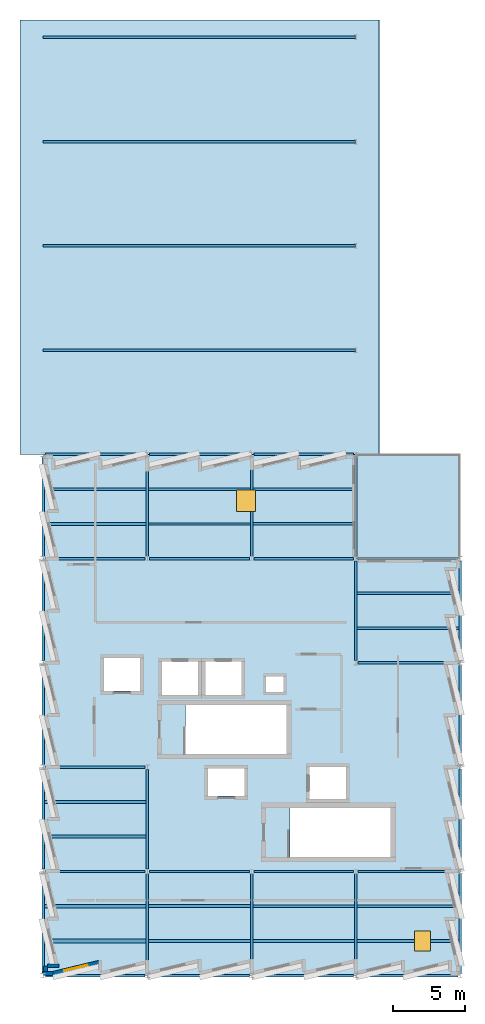
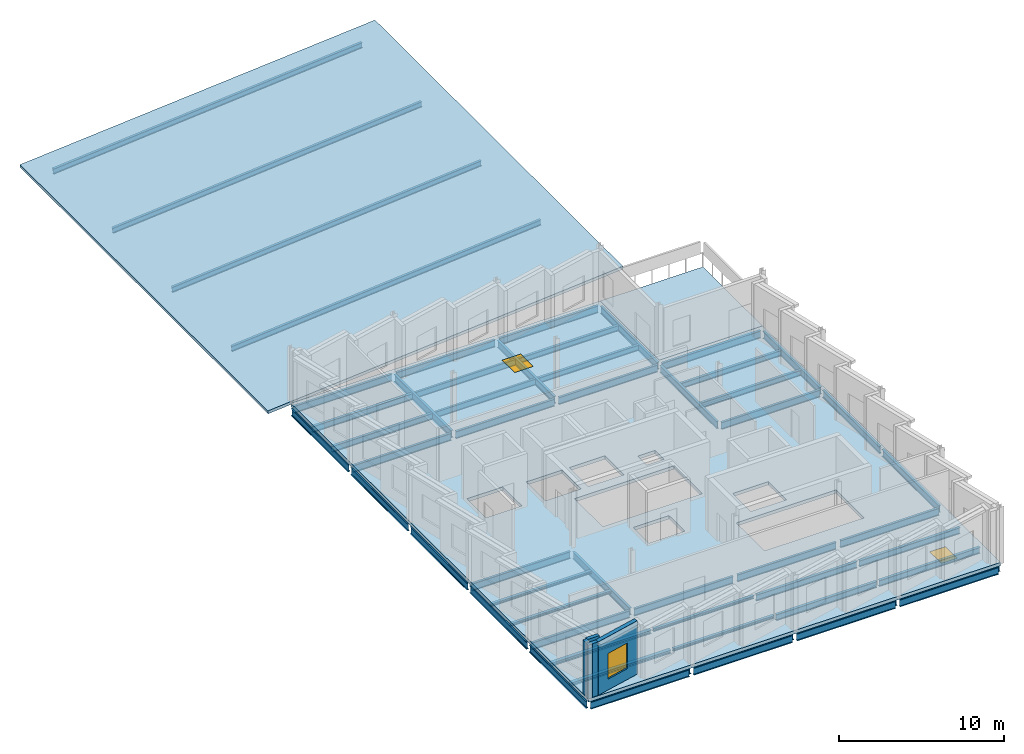
# One storey, part 4 of 9: 52 beams, 4 members, 4 walls, 3 slabs, 2 doors, 1 window, 3 openings.
"""IFC4 building model written with IfcOpenShell, lengths in metres."""

from ifc_helpers import new_model, si_unit, direction, frame, frame_2d, origin, origin_2d, place, context, subcontext, project, spatial, polyline, rectangle, i_section, outline, extrude, material, layer, layer_set, material_profile, profile_set, type_object, element, fill, save


model = new_model("IFC4")

# Units and contexts
model_context = context("Model", 3, precision=1e-05, world=origin(), true_north=direction((0.0, 1.0)))
body_context = subcontext(model_context, "Body", "Model", "MODEL_VIEW")
ifc_project = project(units=[si_unit("LENGTHUNIT", "METRE"), si_unit("AREAUNIT", "SQUARE_METRE"), si_unit("VOLUMEUNIT", "CUBIC_METRE"), si_unit("PLANEANGLEUNIT", "RADIAN"), si_unit("MASSUNIT", "GRAM", prefix="KILO")], contexts=[model_context])

# Site, building, storey
site_placement = place(None, origin())
site = spatial("IfcSite", under=ifc_project, at=site_placement, CompositionType="ELEMENT")
building_placement = place(site_placement, origin())
building = spatial("IfcBuilding", under=site, at=building_placement, Name="Kalmorath City Hall", CompositionType="ELEMENT")
storey_placement = place(building_placement, frame((0.0, 0.0, 31.050048828125)))
storey = spatial("IfcBuildingStorey", under=building, at=storey_placement, Name="L07", CompositionType="ELEMENT", Elevation=31.050048828125)

# Beams
ifc_material_1 = material(Name="Steel ASTM A992 Grade 50", Category="steel")
ifc_material_profile_1 = material_profile(ifc_material_1, i_section(OverallWidth=0.180908203125, OverallDepth=0.4169921875, WebThickness=0.010986328125, FlangeThickness=0.018310546875, FilletRadius=0.012939453125, at=origin_2d()), Name="W16X57")
ifc_profile_set_1 = profile_set([ifc_material_profile_1], Name="Steel ASTM A992 Grade 50")
beam_type_1 = type_object("IfcBeamType", Name="Steel composite joist W16X57", PredefinedType="JOIST", material=ifc_profile_set_1)
for number, where, z_axis, x_axis, name in (
    (1, (14.4833984375, 31.199951171875, -0.462646484375), (1.0, 0.0, 0.0), (0.0, 1.0, 0.0), "L07 joist SJ5 3.5.1"),
    (2, (14.4833984375, 33.60009765625, -0.462646484375), (1.0, 0.0, 0.0), (0.0, 1.0, 0.0), "L07 joist SJ5 3.5.2"),
):
    element("IfcBeam", number, at=place(storey_placement, frame(where, z_axis=z_axis, x_axis=x_axis)), inside=storey, type_object=beam_type_1, Name=name, PredefinedType="JOIST", context=body_context, shape_type="SweptSolid", body=[
        extrude(i_section(OverallWidth=0.180908203125, OverallDepth=0.4169921875, WebThickness=0.010986328125, FlangeThickness=0.018310546875, FilletRadius=0.012939453125, at=origin_2d()), origin(), (0.0, 0.0, 1.0), 7.033203125),
    ])
for number, where, z_axis, x_axis, name in (
    (3, (21.68359375, 24.0, -0.462646484375), (1.0, 0.0, 0.0), (0.0, 1.0, 0.0), "L07 joist SJ5 4.4.1"),
    (4, (21.68359375, 26.39990234375, -0.462646484375), (1.0, 0.0, 0.0), (0.0, 1.0, 0.0), "L07 joist SJ5 4.4.2"),
):
    element("IfcBeam", number, at=place(storey_placement, frame(where, z_axis=z_axis, x_axis=x_axis)), inside=storey, type_object=beam_type_1, Name=name, PredefinedType="JOIST", context=body_context, shape_type="SweptSolid", body=[
        extrude(i_section(OverallWidth=0.180908203125, OverallDepth=0.4169921875, WebThickness=0.010986328125, FlangeThickness=0.018310546875, FilletRadius=0.012939453125, at=origin_2d()), origin(), (0.0, 0.0, 1.0), 7.033935546875),
    ])
ifc_material_2 = material(Name="Steel ASTM A992 Grade 50", Category="steel")
ifc_material_profile_2 = material_profile(ifc_material_2, i_section(OverallWidth=0.153076171875, OverallDepth=0.455078125, WebThickness=0.008056640625, FlangeThickness=0.01318359375, FilletRadius=0.013916015625, at=origin_2d()), Name="W18X40")
ifc_profile_set_2 = profile_set([ifc_material_profile_2], Name="Steel ASTM A992 Grade 50")
beam_type_2 = type_object("IfcBeamType", Name="Steel composite joist W18X40", PredefinedType="JOIST", material=ifc_profile_set_2)
for number, where, z_axis, x_axis, name in (
    (5, (7.283447265625, 31.199951171875, -0.4814453125), (1.0, 0.0, 0.0), (0.0, 1.0, 0.0), "L07 joist SJ4 2.5.1"),
    (6, (7.283447265625, 33.60009765625, -0.4814453125), (1.0, 0.0, 0.0), (0.0, 1.0, 0.0), "L07 joist SJ4 2.5.2"),
):
    element("IfcBeam", number, at=place(storey_placement, frame(where, z_axis=z_axis, x_axis=x_axis)), inside=storey, type_object=beam_type_2, Name=name, PredefinedType="JOIST", context=body_context, shape_type="SweptSolid", body=[
        extrude(i_section(OverallWidth=0.153076171875, OverallDepth=0.455078125, WebThickness=0.008056640625, FlangeThickness=0.01318359375, FilletRadius=0.013916015625, at=origin_2d()), origin(), (0.0, 0.0, 1.0), 7.032958984375),
    ])
ifc_material_3 = material(Name="Steel ASTM A992 Grade 50", Category="steel")
ifc_material_profile_3 = material_profile(ifc_material_3, i_section(OverallWidth=0.19091796875, OverallDepth=0.45703125, WebThickness=0.009033203125, FlangeThickness=0.014404296875, FilletRadius=0.013916015625, at=origin_2d()), Name="W18X50")
ifc_profile_set_3 = profile_set([ifc_material_profile_3], Name="Steel ASTM A992 Grade 50")
beam_type_3 = type_object("IfcBeamType", Name="Steel composite joist W18X50", PredefinedType="JOIST", material=ifc_profile_set_3)
for number, where, z_axis, x_axis, name in (
    (7, (0.08251953125, 31.199951171875, -0.482666015625), (1.0, 0.0, 0.0), (0.0, 1.0, 0.0), "L07 joist SJ3 1.5.1"),
    (8, (0.08251953125, 33.60009765625, -0.482666015625), (1.0, 0.0, 0.0), (0.0, 1.0, 0.0), "L07 joist SJ3 1.5.2"),
):
    element("IfcBeam", number, at=place(storey_placement, frame(where, z_axis=z_axis, x_axis=x_axis)), inside=storey, type_object=beam_type_3, Name=name, PredefinedType="JOIST", context=body_context, shape_type="SweptSolid", body=[
        extrude(i_section(OverallWidth=0.19091796875, OverallDepth=0.45703125, WebThickness=0.009033203125, FlangeThickness=0.014404296875, FilletRadius=0.013916015625, at=origin_2d()), origin(), (0.0, 0.0, 1.0), 7.033935546875),
    ])
ifc_material_4 = material(Name="Steel ASTM A992 Grade 50", Category="steel")
ifc_material_profile_4 = material_profile(ifc_material_4, i_section(OverallWidth=0.19091796875, OverallDepth=0.4599609375, WebThickness=0.010009765625, FlangeThickness=0.01611328125, FilletRadius=0.013916015625, at=origin_2d()), Name="W18X55")
ifc_profile_set_4 = profile_set([ifc_material_profile_4], Name="Steel ASTM A992 Grade 50")
beam_type_4 = type_object("IfcBeamType", Name="Steel composite joist W18X55", PredefinedType="JOIST", material=ifc_profile_set_4)
for number, where, z_axis, x_axis, name in (
    (9, (21.68359375, 2.39990234375, -0.484130859375), (1.0, 0.0, 0.0), (0.0, 1.0, 0.0), "L07 joist SJ2 4.1.1"),
    (10, (21.68359375, 4.800048828125, -0.484130859375), (1.0, 0.0, 0.0), (0.0, 1.0, 0.0), "L07 joist SJ2 4.1.2"),
):
    element("IfcBeam", number, at=place(storey_placement, frame(where, z_axis=z_axis, x_axis=x_axis)), inside=storey, type_object=beam_type_4, Name=name, PredefinedType="JOIST", context=body_context, shape_type="SweptSolid", body=[
        extrude(i_section(OverallWidth=0.19091796875, OverallDepth=0.4599609375, WebThickness=0.010009765625, FlangeThickness=0.01611328125, FilletRadius=0.013916015625, at=origin_2d()), origin(), (0.0, 0.0, 1.0), 7.033935546875),
    ])
ifc_material_5 = material(Name="Steel ASTM A992 Grade 50", Category="steel")
ifc_material_profile_5 = material_profile(ifc_material_5, i_section(OverallWidth=0.193115234375, OverallDepth=0.466064453125, WebThickness=0.011474609375, FlangeThickness=0.01904296875, FilletRadius=0.013916015625, at=origin_2d()), Name="W18X65")
ifc_profile_set_5 = profile_set([ifc_material_profile_5], Name="Steel ASTM A992 Grade 50")
beam_type_5 = type_object("IfcBeamType", Name="Steel composite joist W18X65", PredefinedType="JOIST", material=ifc_profile_set_5)
for number, where, z_axis, x_axis, name in (
    (11, (14.4833984375, 2.39990234375, -0.487060546875), (1.0, 0.0, 0.0), (0.0, 1.0, 0.0), "L07 joist SJ1 3.1.1"),
    (12, (14.4833984375, 4.800048828125, -0.487060546875), (1.0, 0.0, 0.0), (0.0, 1.0, 0.0), "L07 joist SJ1 3.1.2"),
):
    element("IfcBeam", number, at=place(storey_placement, frame(where, z_axis=z_axis, x_axis=x_axis)), inside=storey, type_object=beam_type_5, Name=name, PredefinedType="JOIST", context=body_context, shape_type="SweptSolid", body=[
        extrude(i_section(OverallWidth=0.193115234375, OverallDepth=0.466064453125, WebThickness=0.011474609375, FlangeThickness=0.01904296875, FilletRadius=0.013916015625, at=origin_2d()), origin(), (0.0, 0.0, 1.0), 7.033203125),
    ])
ifc_material_6 = material(Name="Steel ASTM A992 Grade 50", Category="steel")
ifc_material_profile_6 = material_profile(ifc_material_6, i_section(OverallWidth=0.202880859375, OverallDepth=0.202880859375, WebThickness=0.007080078125, FlangeThickness=0.010986328125, FilletRadius=0.010986328125, at=origin_2d()), Name="W8X31")
ifc_profile_set_6 = profile_set([ifc_material_profile_6], Name="Steel ASTM A992 Grade 50")
beam_type_6 = type_object("IfcBeamType", Name="Steel edge trimmer W8X31", PredefinedType="LINTEL", material=ifc_profile_set_6)
for number, where, z_axis, x_axis, name in (
    (13, (0.08251953125, 9.60009765625, -0.35546875), (1.0, 0.0, 0.0), (0.0, 1.0, 0.0), "L07 joist SJ16 1.2.1"),
    (14, (0.08251953125, 12.0, -0.35546875), (1.0, 0.0, 0.0), (0.0, 1.0, 0.0), "L07 joist SJ16 1.2.2"),
):
    element("IfcBeam", number, at=place(storey_placement, frame(where, z_axis=z_axis, x_axis=x_axis)), inside=storey, type_object=beam_type_6, Name=name, PredefinedType="LINTEL", context=body_context, shape_type="SweptSolid", body=[
        extrude(i_section(OverallWidth=0.202880859375, OverallDepth=0.202880859375, WebThickness=0.007080078125, FlangeThickness=0.010986328125, FilletRadius=0.010986328125, at=origin_2d()), origin(), (0.0, 0.0, 1.0), 7.033935546875),
    ])
for number, where, z_axis, x_axis, name in (
    (15, (7.283447265625, 2.39990234375, -0.35546875), (1.0, 0.0, 0.0), (0.0, 1.0, 0.0), "L07 joist SJ16 2.1.1"),
    (16, (7.283447265625, 4.800048828125, -0.35546875), (1.0, 0.0, 0.0), (0.0, 1.0, 0.0), "L07 joist SJ16 2.1.2"),
):
    element("IfcBeam", number, at=place(storey_placement, frame(where, z_axis=z_axis, x_axis=x_axis)), inside=storey, type_object=beam_type_6, Name=name, PredefinedType="LINTEL", context=body_context, shape_type="SweptSolid", body=[
        extrude(i_section(OverallWidth=0.202880859375, OverallDepth=0.202880859375, WebThickness=0.007080078125, FlangeThickness=0.010986328125, FilletRadius=0.010986328125, at=origin_2d()), origin(), (0.0, 0.0, 1.0), 7.032958984375),
    ])
ifc_material_7 = material(Name="Steel ASTM A992 Grade 50", Category="steel")
ifc_material_profile_7 = material_profile(ifc_material_7, i_section(OverallWidth=0.1669921875, OverallDepth=0.534912109375, WebThickness=0.01025390625, FlangeThickness=0.0166015625, FilletRadius=0.014892578125, at=origin_2d()), Name="W21X57")
ifc_profile_set_7 = profile_set([ifc_material_profile_7], Name="Steel ASTM A992 Grade 50")
beam_type_7 = type_object("IfcBeamType", Name="Steel floor beam W21X57", PredefinedType="BEAM", material=ifc_profile_set_7)
for number, where, z_axis, x_axis, name in (
    (17, (0.152587890625, 7.199951171875, -0.521484375), (1.0, 0.0, 0.0), (0.0, 1.0, 0.0), "L07 girder SB3 X1-2/2"),
    (18, (7.3525390625, 7.199951171875, -0.521484375), (1.0, 0.0, 0.0), (0.0, 1.0, 0.0), "L07 girder SB3 X2-3/2"),
    (19, (14.552490234375, 7.199951171875, -0.521484375), (1.0, 0.0, 0.0), (0.0, 1.0, 0.0), "L07 girder SB3 X3-4/2"),
    (20, (21.75244140625, 7.199951171875, -0.521484375), (1.0, 0.0, 0.0), (0.0, 1.0, 0.0), "L07 girder SB3 X4-5/2"),
    (21, (0.152587890625, 14.39990234375, -0.521484375), (1.0, 0.0, 0.0), (0.0, 1.0, 0.0), "L07 girder SB3 X1-2/3"),
    (22, (21.75244140625, 21.60009765625, -0.521484375), (1.0, 0.0, 0.0), (0.0, 1.0, 0.0), "L07 girder SB3 X4-5/4"),
    (23, (0.152587890625, 28.800048828125, -0.521484375), (1.0, 0.0, 0.0), (0.0, 1.0, 0.0), "L07 girder SB3 X1-2/5"),
    (24, (7.3525390625, 28.800048828125, -0.521484375), (1.0, 0.0, 0.0), (0.0, 1.0, 0.0), "L07 girder SB3 X2-3/5"),
    (25, (14.552490234375, 28.800048828125, -0.521484375), (1.0, 0.0, 0.0), (0.0, 1.0, 0.0), "L07 girder SB3 X3-4/5"),
    (26, (21.75244140625, 28.800048828125, -0.521484375), (1.0, 0.0, 0.0), (0.0, 1.0, 0.0), "L07 girder SB3 X4-5/5"),
):
    element("IfcBeam", number, at=place(storey_placement, frame(where, z_axis=z_axis, x_axis=x_axis)), inside=storey, type_object=beam_type_7, Name=name, PredefinedType="BEAM", context=body_context, shape_type="SweptSolid", body=[
        extrude(i_section(OverallWidth=0.1669921875, OverallDepth=0.534912109375, WebThickness=0.01025390625, FlangeThickness=0.0166015625, FilletRadius=0.014892578125, at=origin_2d()), origin(), (0.0, 0.0, 1.0), 6.89501953125),
    ])
beam_1_placement = place(storey_placement, frame((7.199951171875, 0.154052734375, -0.521484375), z_axis=(0.0, 1.0, 0.0), x_axis=(-1.0, 0.0, 0.0)))
element("IfcBeam", 27, at=beam_1_placement, inside=storey, type_object=beam_type_7, Name="L07 girder SB3 Y2/1-2", PredefinedType="BEAM", context=body_context, shape_type="SweptSolid", body=[
    extrude(i_section(OverallWidth=0.1669921875, OverallDepth=0.534912109375, WebThickness=0.01025390625, FlangeThickness=0.0166015625, FilletRadius=0.014892578125, at=origin_2d()), origin(), (0.0, 0.0, 1.0), 6.891845703125),
])
beam_2_placement = place(storey_placement, frame((7.199951171875, 7.35400390625, -0.521484375), z_axis=(0.0, 1.0, 0.0), x_axis=(-1.0, 0.0, 0.0)))
element("IfcBeam", 28, at=beam_2_placement, inside=storey, type_object=beam_type_7, Name="L07 girder SB3 Y2/2-3", PredefinedType="BEAM", context=body_context, shape_type="SweptSolid", body=[
    extrude(i_section(OverallWidth=0.1669921875, OverallDepth=0.534912109375, WebThickness=0.01025390625, FlangeThickness=0.0166015625, FilletRadius=0.014892578125, at=origin_2d()), origin(), (0.0, 0.0, 1.0), 6.89208984375),
])
for number, where, z_axis, x_axis, name in (
    (29, (7.199951171875, 28.9541015625, -0.521484375), (0.0, 1.0, 0.0), (-1.0, 0.0, 0.0), "L07 girder SB3 Y2/5-6"),
    (30, (14.39990234375, 0.154052734375, -0.521484375), (0.0, 1.0, 0.0), (-1.0, 0.0, 0.0), "L07 girder SB3 Y3/1-2"),
    (31, (14.39990234375, 28.9541015625, -0.521484375), (0.0, 1.0, 0.0), (-1.0, 0.0, 0.0), "L07 girder SB3 Y3/5-6"),
    (32, (21.60009765625, 0.154052734375, -0.521484375), (0.0, 1.0, 0.0), (-1.0, 0.0, 0.0), "L07 girder SB3 Y4/1-2"),
):
    element("IfcBeam", number, at=place(storey_placement, frame(where, z_axis=z_axis, x_axis=x_axis)), inside=storey, type_object=beam_type_7, Name=name, PredefinedType="BEAM", context=body_context, shape_type="SweptSolid", body=[
        extrude(i_section(OverallWidth=0.1669921875, OverallDepth=0.534912109375, WebThickness=0.01025390625, FlangeThickness=0.0166015625, FilletRadius=0.014892578125, at=origin_2d()), origin(), (0.0, 0.0, 1.0), 6.891845703125),
    ])
beam_3_placement = place(storey_placement, frame((21.60009765625, 21.75390625, -0.521484375), z_axis=(0.0, 1.0, 0.0), x_axis=(-1.0, 0.0, 0.0)))
element("IfcBeam", 33, at=beam_3_placement, inside=storey, type_object=beam_type_7, Name="L07 girder SB3 Y4/4-5", PredefinedType="BEAM", context=body_context, shape_type="SweptSolid", body=[
    extrude(i_section(OverallWidth=0.1669921875, OverallDepth=0.534912109375, WebThickness=0.01025390625, FlangeThickness=0.0166015625, FilletRadius=0.014892578125, at=origin_2d()), origin(), (0.0, 0.0, 1.0), 6.89208984375),
])
beam_4_placement = place(storey_placement, frame((21.60009765625, 28.9541015625, -0.521484375), z_axis=(0.0, 1.0, 0.0), x_axis=(-1.0, 0.0, 0.0)))
element("IfcBeam", 34, at=beam_4_placement, inside=storey, type_object=beam_type_7, Name="L07 girder SB3 Y4/5-6", PredefinedType="BEAM", context=body_context, shape_type="SweptSolid", body=[
    extrude(i_section(OverallWidth=0.1669921875, OverallDepth=0.534912109375, WebThickness=0.01025390625, FlangeThickness=0.0166015625, FilletRadius=0.014892578125, at=origin_2d()), origin(), (0.0, 0.0, 1.0), 6.891845703125),
])

# Members
ifc_material_8 = material(Name="Steel ASTM A992 Grade 50", Category="steel")
ifc_material_profile_8 = material_profile(ifc_material_8, i_section(OverallWidth=0.178955078125, OverallDepth=0.409912109375, WebThickness=0.0087890625, FlangeThickness=0.014404296875, FilletRadius=0.012939453125, at=origin_2d()), Name="W16X45")
ifc_profile_set_8 = profile_set([ifc_material_profile_8], Name="Steel ASTM A992 Grade 50")
member_type = type_object("IfcMemberType", Name="Steel pitched roof rafter W16X45", PredefinedType="RAFTER", material=ifc_profile_set_8)
for number, where, z_axis, x_axis, name in (
    (35, (0.0, 43.199951171875, -0.320068359375), (0.996545602882, 0.0, 0.083047344192), (0.0, 1.0, 0.0), "V6 upper roof rafter RF2-1"),
    (36, (0.0, 50.39990234375, -0.320068359375), (0.996545602882, 0.0, 0.083047344192), (0.0, 1.0, 0.0), "V6 upper roof rafter RF2-2"),
    (37, (0.0, 57.60009765625, -0.320068359375), (0.996545602882, 0.0, 0.083047344192), (0.0, 1.0, 0.0), "V6 upper roof rafter RF2-3"),
    (38, (0.0, 64.800048828125, -0.320068359375), (0.996545602882, 0.0, 0.083047344192), (0.0, 1.0, 0.0), "V6 upper roof rafter RF2-4"),
):
    element("IfcMember", number, at=place(storey_placement, frame(where, z_axis=z_axis, x_axis=x_axis)), inside=storey, type_object=member_type, Name=name, PredefinedType="RAFTER", context=body_context, shape_type="SweptSolid", body=[
        extrude(i_section(OverallWidth=0.178955078125, OverallDepth=0.409912109375, WebThickness=0.0087890625, FlangeThickness=0.014404296875, FilletRadius=0.012939453125, at=origin_2d()), origin(), (0.0, 0.0, 1.0), 21.675048828125),
    ])

# Beams
ifc_material_9 = material(Name="Steel ASTM A992 Grade 50", Category="steel")
ifc_material_profile_9 = material_profile(ifc_material_9, i_section(OverallWidth=0.1650390625, OverallDepth=0.52490234375, WebThickness=0.0087890625, FlangeThickness=0.011474609375, FilletRadius=0.014892578125, at=origin_2d()), Name="W21X44")
ifc_profile_set_9 = profile_set([ifc_material_profile_9], Name="Steel ASTM A992 Grade 50")
beam_type_8 = type_object("IfcBeamType", Name="Steel spandrel beam W21X44", PredefinedType="SPANDREL", material=ifc_profile_set_9)
for number, where, z_axis, x_axis, name in (
    (39, (0.152587890625, 0.0, -0.5166015625), (1.0, 0.0, 0.0), (0.0, 1.0, 0.0), "L07 girder SB4 X1-2/1"),
    (40, (7.3525390625, 0.0, -0.5166015625), (1.0, 0.0, 0.0), (0.0, 1.0, 0.0), "L07 girder SB4 X2-3/1"),
    (41, (14.552490234375, 0.0, -0.5166015625), (1.0, 0.0, 0.0), (0.0, 1.0, 0.0), "L07 girder SB4 X3-4/1"),
    (42, (21.75244140625, 0.0, -0.5166015625), (1.0, 0.0, 0.0), (0.0, 1.0, 0.0), "L07 girder SB4 X4-5/1"),
    (43, (0.152587890625, 36.0, -0.5166015625), (1.0, 0.0, 0.0), (0.0, 1.0, 0.0), "L07 girder SB4 X1-2/6"),
    (44, (7.3525390625, 36.0, -0.5166015625), (1.0, 0.0, 0.0), (0.0, 1.0, 0.0), "L07 girder SB4 X2-3/6"),
    (45, (14.552490234375, 36.0, -0.5166015625), (1.0, 0.0, 0.0), (0.0, 1.0, 0.0), "L07 girder SB4 X3-4/6"),
):
    element("IfcBeam", number, at=place(storey_placement, frame(where, z_axis=z_axis, x_axis=x_axis)), inside=storey, type_object=beam_type_8, Name=name, PredefinedType="SPANDREL", context=body_context, shape_type="SweptSolid", body=[
        extrude(i_section(OverallWidth=0.1650390625, OverallDepth=0.52490234375, WebThickness=0.0087890625, FlangeThickness=0.011474609375, FilletRadius=0.014892578125, at=origin_2d()), origin(), (0.0, 0.0, 1.0), 6.89501953125),
    ])
beam_5_placement = place(storey_placement, frame((0.0, 0.154052734375, -0.5166015625), z_axis=(0.0, 1.0, 0.0), x_axis=(-1.0, 0.0, 0.0)))
element("IfcBeam", 46, at=beam_5_placement, inside=storey, type_object=beam_type_8, Name="L07 girder SB4 Y1/1-2", PredefinedType="SPANDREL", context=body_context, shape_type="SweptSolid", body=[
    extrude(i_section(OverallWidth=0.1650390625, OverallDepth=0.52490234375, WebThickness=0.0087890625, FlangeThickness=0.011474609375, FilletRadius=0.014892578125, at=origin_2d()), origin(), (0.0, 0.0, 1.0), 6.891845703125),
])
for number, where, z_axis, x_axis, name in (
    (47, (0.0, 7.35400390625, -0.5166015625), (0.0, 1.0, 0.0), (-1.0, 0.0, 0.0), "L07 girder SB4 Y1/2-3"),
    (48, (0.0, 14.553955078125, -0.5166015625), (0.0, 1.0, 0.0), (-1.0, 0.0, 0.0), "L07 girder SB4 Y1/3-4"),
    (49, (0.0, 21.75390625, -0.5166015625), (0.0, 1.0, 0.0), (-1.0, 0.0, 0.0), "L07 girder SB4 Y1/4-5"),
):
    element("IfcBeam", number, at=place(storey_placement, frame(where, z_axis=z_axis, x_axis=x_axis)), inside=storey, type_object=beam_type_8, Name=name, PredefinedType="SPANDREL", context=body_context, shape_type="SweptSolid", body=[
        extrude(i_section(OverallWidth=0.1650390625, OverallDepth=0.52490234375, WebThickness=0.0087890625, FlangeThickness=0.011474609375, FilletRadius=0.014892578125, at=origin_2d()), origin(), (0.0, 0.0, 1.0), 6.89208984375),
    ])
for number, where, z_axis, x_axis, name in (
    (50, (0.0, 28.9541015625, -0.5166015625), (0.0, 1.0, 0.0), (-1.0, 0.0, 0.0), "L07 girder SB4 Y1/5-6"),
    (51, (28.800048828125, 0.154052734375, -0.5166015625), (0.0, 1.0, 0.0), (-1.0, 0.0, 0.0), "L07 girder SB4 Y5/1-2"),
):
    element("IfcBeam", number, at=place(storey_placement, frame(where, z_axis=z_axis, x_axis=x_axis)), inside=storey, type_object=beam_type_8, Name=name, PredefinedType="SPANDREL", context=body_context, shape_type="SweptSolid", body=[
        extrude(i_section(OverallWidth=0.1650390625, OverallDepth=0.52490234375, WebThickness=0.0087890625, FlangeThickness=0.011474609375, FilletRadius=0.014892578125, at=origin_2d()), origin(), (0.0, 0.0, 1.0), 6.891845703125),
    ])
for number, where, z_axis, x_axis, name in (
    (52, (28.800048828125, 7.35400390625, -0.5166015625), (0.0, 1.0, 0.0), (-1.0, 0.0, 0.0), "L07 girder SB4 Y5/2-3"),
    (53, (28.800048828125, 14.553955078125, -0.5166015625), (0.0, 1.0, 0.0), (-1.0, 0.0, 0.0), "L07 girder SB4 Y5/3-4"),
    (54, (28.800048828125, 21.75390625, -0.5166015625), (0.0, 1.0, 0.0), (-1.0, 0.0, 0.0), "L07 girder SB4 Y5/4-5"),
):
    element("IfcBeam", number, at=place(storey_placement, frame(where, z_axis=z_axis, x_axis=x_axis)), inside=storey, type_object=beam_type_8, Name=name, PredefinedType="SPANDREL", context=body_context, shape_type="SweptSolid", body=[
        extrude(i_section(OverallWidth=0.1650390625, OverallDepth=0.52490234375, WebThickness=0.0087890625, FlangeThickness=0.011474609375, FilletRadius=0.014892578125, at=origin_2d()), origin(), (0.0, 0.0, 1.0), 6.89208984375),
    ])
ifc_material_10 = material(Name="Steel ASTM A992 Grade 50", Category="steel")
ifc_material_profile_10 = material_profile(ifc_material_10, i_section(OverallWidth=0.25390625, OverallDepth=0.2529296875, WebThickness=0.008544921875, FlangeThickness=0.01416015625, FilletRadius=0.011962890625, at=origin_2d()), Name="W10X49")
ifc_profile_set_10 = profile_set([ifc_material_profile_10], Name="Steel ASTM A992 Grade 50")
beam_type_9 = type_object("IfcBeamType", Name="Steel trimmer beam W10X49", PredefinedType="BEAM", material=ifc_profile_set_10)
for number, where, z_axis, x_axis, name in (
    (55, (0.08251953125, 2.39990234375, -0.380615234375), (1.0, 0.0, 0.0), (0.0, 1.0, 0.0), "L07 joist SJ14 1.1.1"),
    (56, (0.08251953125, 4.800048828125, -0.380615234375), (1.0, 0.0, 0.0), (0.0, 1.0, 0.0), "L07 joist SJ14 1.1.2"),
):
    element("IfcBeam", number, at=place(storey_placement, frame(where, z_axis=z_axis, x_axis=x_axis)), inside=storey, type_object=beam_type_9, Name=name, PredefinedType="BEAM", context=body_context, shape_type="SweptSolid", body=[
        extrude(i_section(OverallWidth=0.25390625, OverallDepth=0.2529296875, WebThickness=0.008544921875, FlangeThickness=0.01416015625, FilletRadius=0.011962890625, at=origin_2d()), origin(), (0.0, 0.0, 1.0), 7.033935546875),
    ])

# Slab, openings, doors
ifc_material_11 = material(Name="Concrete C40/50", Category="concrete")
ifc_layer_1 = layer(ifc_material_11, 0.25)
ifc_layer_set_1 = layer_set([ifc_layer_1], Name="Concrete C40/50")
slab_type_1 = type_object("IfcSlabType", Name="Concrete municipal wing floor slab 250", PredefinedType="FLOOR", material=ifc_layer_set_1)
slab_1_placement = place(storey_placement, frame((0.0, 0.0, -0.25)))
slab_1 = element("IfcSlab", 57, at=slab_1_placement, inside=storey, type_object=slab_type_1, Name="L07 Corner Administration Block slab FS5-1", PredefinedType="FLOOR", context=body_context, shape_type="SweptSolid", body=[
    extrude(outline(polyline([(21.60009765625, 28.800048828125), (28.800048828125, 28.800048828125), (28.800048828125, 0.0), (0.0, 0.0), (0.0, 36.0), (21.60009765625, 36.0), (21.60009765625, 28.800048828125)]), holes=[polyline([(16.800048828125, 15.300048828125), (16.800048828125, 18.699951171875), (9.840087890625, 18.699951171875), (9.840087890625, 15.300048828125), (16.800048828125, 15.300048828125)]), polyline([(4.199951171875, 19.64990234375), (6.699951171875, 19.64990234375), (6.699951171875, 21.949951171875), (4.199951171875, 21.949951171875), (4.199951171875, 19.64990234375)]), polyline([(8.199951171875, 21.699951171875), (8.199951171875, 19.39990234375), (10.699951171875, 19.39990234375), (10.699951171875, 21.699951171875), (8.199951171875, 21.699951171875)]), polyline([(13.699951171875, 21.699951171875), (11.199951171875, 21.699951171875), (11.199951171875, 19.39990234375), (13.699951171875, 19.39990234375), (13.699951171875, 21.699951171875)]), polyline([(24.0, 8.199951171875), (24.0, 11.60009765625), (17.0400390625, 11.60009765625), (17.0400390625, 8.199951171875), (24.0, 8.199951171875)]), polyline([(11.39990234375, 12.39990234375), (13.89990234375, 12.39990234375), (13.89990234375, 14.300048828125), (11.39990234375, 14.300048828125), (11.39990234375, 12.39990234375)]), polyline([(18.39990234375, 14.39990234375), (18.39990234375, 12.199951171875), (20.89990234375, 12.199951171875), (20.89990234375, 14.39990234375), (18.39990234375, 14.39990234375)]), polyline([(16.60009765625, 20.679931640625), (15.39990234375, 20.679931640625), (15.39990234375, 19.60009765625), (16.60009765625, 19.60009765625), (16.60009765625, 20.679931640625)])]), origin(), (0.0, 0.0, 1.0), 0.25),
])
opening_1_placement = place(slab_1_placement, frame((26.199951171875, 2.39990234375, 0.0)))
opening_1 = element("IfcOpeningElement", 58, at=opening_1_placement, cuts=slab_1, Name="Opening D-H01", PredefinedType="OPENING", context=body_context, shape_type="SweptSolid", body=[
    extrude(rectangle(XDim=1.10009765625, YDim=1.39990234375, at=origin_2d()), origin(), (0.0, 0.0, 1.0), 0.25),
])
opening_2_placement = place(slab_1_placement, frame((14.0, 32.800048828125, 0.0)))
opening_2 = element("IfcOpeningElement", 59, at=opening_2_placement, cuts=slab_1, Name="Opening D-H02", PredefinedType="OPENING", context=body_context, shape_type="SweptSolid", body=[
    extrude(rectangle(XDim=1.300048828125, YDim=1.5, at=origin_2d()), origin(), (0.0, 0.0, 1.0), 0.25),
])
ifc_material_12 = material(Name="Galvanised steel hatch", Category="steel")
door_type_1 = type_object("IfcDoorType", Name="Equipment maintenance roof hatch 1300x1500", OperationType="SINGLE_SWING_LEFT", PredefinedType="TRAPDOOR", material=ifc_material_12)
door_1_placement = place(opening_2_placement, frame((0.0, 0.0, 0.199951171875)))
door_1 = element("IfcDoor", 60, at=door_1_placement, inside=storey, type_object=door_type_1, Name="L07 roof access hatch D-H02", OperationType="SINGLE_SWING_LEFT", OverallHeight=1.5, OverallWidth=1.300048828125, PredefinedType="TRAPDOOR", context=body_context, shape_type="SweptSolid", body=[
    extrude(rectangle(XDim=1.300048828125, YDim=1.5, at=origin_2d()), origin(), (0.0, 0.0, 1.0), 0.050048828125),
])
fill(opening_2, door_1)
ifc_material_13 = material(Name="Galvanised steel hatch", Category="steel")
door_type_2 = type_object("IfcDoorType", Name="Insulated hurricane roof access hatch 1100x1400", OperationType="SINGLE_SWING_LEFT", PredefinedType="TRAPDOOR", material=ifc_material_13)
door_2_placement = place(opening_1_placement, frame((0.0, 0.0, 0.199951171875)))
door_2 = element("IfcDoor", 61, at=door_2_placement, inside=storey, type_object=door_type_2, Name="L07 roof access hatch D-H01", OperationType="SINGLE_SWING_LEFT", OverallHeight=1.39990234375, OverallWidth=1.10009765625, PredefinedType="TRAPDOOR", context=body_context, shape_type="SweptSolid", body=[
    extrude(rectangle(XDim=1.10009765625, YDim=1.39990234375, at=origin_2d()), origin(), (0.0, 0.0, 1.0), 0.050048828125),
])
fill(opening_1, door_2)

# Slabs
ifc_material_14 = material(Name="Concrete C40/50", Category="concrete")
ifc_layer_2 = layer(ifc_material_14, 0.22998046875)
ifc_layer_set_2 = layer_set([ifc_layer_2], Name="Concrete C40/50")
slab_type_2 = type_object("IfcSlabType", Name="Concrete recessed corner loggia slab 230", PredefinedType="FLOOR", material=ifc_layer_set_2)
slab_2_placement = place(storey_placement, frame((0.0, 0.0, -0.22998046875)))
element("IfcSlab", 62, at=slab_2_placement, inside=storey, type_object=slab_type_2, Name="L07 Upper Civic Corner Loggia slab", PredefinedType="FLOOR", context=body_context, shape_type="SweptSolid", body=[
    extrude(outline(polyline([(21.60009765625, 28.800048828125), (28.800048828125, 28.800048828125), (28.800048828125, 36.0), (21.60009765625, 36.0), (21.60009765625, 28.800048828125)])), origin(), (0.0, 0.0, 1.0), 0.22998046875),
])
ifc_material_15 = material(Name="Concrete C40/50", Category="concrete")
ifc_layer_3 = layer(ifc_material_15, 0.219970703125)
ifc_layer_set_3 = layer_set([ifc_layer_3], Name="Concrete C40/50")
slab_type_3 = type_object("IfcSlabType", Name="Concrete sloped hurricane roof slab 220", PredefinedType="ROOF", material=ifc_layer_set_3)
slab_3_placement = place(storey_placement, frame((-1.60009765625, 36.0, 0.0), z_axis=(-0.080384032677, 0.0, 0.996763967693), x_axis=(0.996763967693, 0.0, 0.080384032677)))
element("IfcSlab", 63, at=slab_3_placement, inside=storey, type_object=slab_type_3, Name="West Sawtooth Wing L07 upper pitched roof", PredefinedType="ROOF", context=body_context, shape_type="SweptSolid", body=[
    extrude(outline(polyline([(0.0, 0.0), (24.88056313424968, 0.0), (24.88056313424968, 30.0), (0.0, 30.0), (0.0, 0.0)])), origin(), (0.0, 0.0, -1.0), 0.219970703125),
])

# Wall
ifc_material_16 = material(Name="Precast concrete C40/50", Category="concrete")
ifc_layer_4 = layer(ifc_material_16, 0.239990234375)
ifc_layer_set_4 = layer_set([ifc_layer_4], Name="Precast concrete C40/50")
wall_type_1 = type_object("IfcWallType", Name="Precast sawtooth cheek wall 240", PredefinedType="SOLIDWALL", material=ifc_layer_set_4)
wall_1_placement = place(storey_placement, frame((1.087646484375, 0.679931640625, 0.0), z_axis=(0.0, 0.0, 1.0), x_axis=(-1.0, 0.0, 0.0)))
element("IfcWall", 64, at=wall_1_placement, inside=storey, type_object=wall_type_1, Name="L07 sawtooth return cheek #1121", PredefinedType="SOLIDWALL", context=body_context, shape_type="SweptSolid", body=[
    extrude(rectangle(XDim=0.8056640625, YDim=0.239990234375, at=frame_2d((0.40283203125, 0.0))), origin(), (0.0, 0.0, 1.0), 3.949951171875),
])

# Wall, opening, window
ifc_material_17 = material(Name="Precast concrete C40/50", Category="concrete")
ifc_layer_5 = layer(ifc_material_17, 0.280029296875)
ifc_layer_set_5 = layer_set([ifc_layer_5], Name="Precast concrete C40/50")
wall_type_2 = type_object("IfcWallType", Name="Precast sawtooth facade wall 280", PredefinedType="SOLIDWALL", material=ifc_layer_set_5)
wall_2_placement = place(storey_placement, frame((0.679931640625, 0.159912109375, 0.0), z_axis=(0.0, 0.0, 1.0), x_axis=(0.972370292931, 0.233443812137, 0.0)))
wall_2 = element("IfcWall", 65, at=wall_2_placement, inside=storey, type_object=wall_type_2, Name="L07 sawtooth precast frame #1049", PredefinedType="SOLIDWALL", context=body_context, shape_type="SweptSolid", body=[
    extrude(rectangle(XDim=3.2578125, YDim=0.280029296875, at=frame_2d((1.62890625, 0.0))), origin(), (0.0, 0.0, 1.0), 3.949951171875),
])
opening_3_placement = place(wall_2_placement, frame((0.8037109375, 0.0, 0.800048828125)))
opening_3 = element("IfcOpeningElement", 66, at=opening_3_placement, cuts=wall_2, Name="Opening WN2", PredefinedType="OPENING", context=body_context, shape_type="SweptSolid", body=[
    extrude(rectangle(XDim=1.64990234375, YDim=1.89990234375, at=frame_2d((0.824951171875, 0.949951171875))), frame((0.0, 0.14990234375, 0.0), z_axis=(0.0, -1.0, 0.0), x_axis=(1.0, 0.0, 0.0)), (0.0, 0.0, 1.0), 0.300048828125),
])
ifc_material_18 = material(Name="Aluminium and laminated glass", Category="aluminium")
window_type = type_object("IfcWindowType", Name="Sawtooth hurricane window 1650x1900", PartitioningType="SINGLE_PANEL", PredefinedType="WINDOW", material=ifc_material_18)
window_placement = place(opening_3_placement, origin())
window = element("IfcWindow", 67, at=window_placement, inside=storey, type_object=window_type, Name="L07 window WN2-536", OverallHeight=1.89990234375, OverallWidth=1.64990234375, PartitioningType="SINGLE_PANEL", PredefinedType="WINDOW", context=body_context, shape_type="SweptSolid", body=[
    extrude(rectangle(XDim=1.64990234375, YDim=1.89990234375, at=frame_2d((0.824951171875, 0.949951171875))), frame((0.0, 0.030029296875, 0.0), z_axis=(0.0, -1.0, 0.0), x_axis=(1.0, 0.0, 0.0)), (0.0, 0.0, 1.0), 0.06005859375),
])
fill(opening_3, window)

# Walls
ifc_material_19 = material(Name="Precast concrete C40/50", Category="concrete")
ifc_layer_6 = layer(ifc_material_19, 0.260009765625)
ifc_layer_set_6 = layer_set([ifc_layer_6], Name="Precast concrete C40/50")
wall_type_3 = type_object("IfcWallType", Name="Precast sawtooth return wall 260", PredefinedType="SOLIDWALL", material=ifc_layer_set_6)
for number, where, z_axis, x_axis, name in (
    (68, (0.0, 0.159912109375, 0.0), (0.0, 0.0, 1.0), (1.0, 0.0, 0.0), "L07 corner pier wall #1048"),
    (69, (0.159912109375, 0.679931640625, 0.0), (0.0, 0.0, 1.0), (0.0, -1.0, 0.0), "L07 corner pier wall #1117"),
):
    element("IfcWall", number, at=place(storey_placement, frame(where, z_axis=z_axis, x_axis=x_axis)), inside=storey, type_object=wall_type_3, Name=name, PredefinedType="SOLIDWALL", context=body_context, shape_type="SweptSolid", body=[
        extrude(rectangle(XDim=0.679931640625, YDim=0.260009765625, at=frame_2d((0.33984375, 0.0))), origin(), (0.0, 0.0, 1.0), 3.949951171875),
    ])

save(model, "model.ifc")
